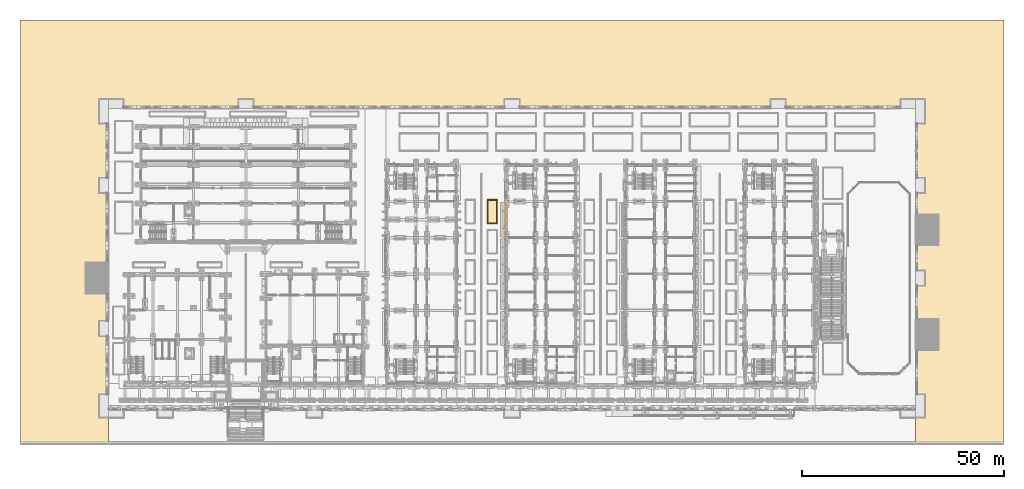
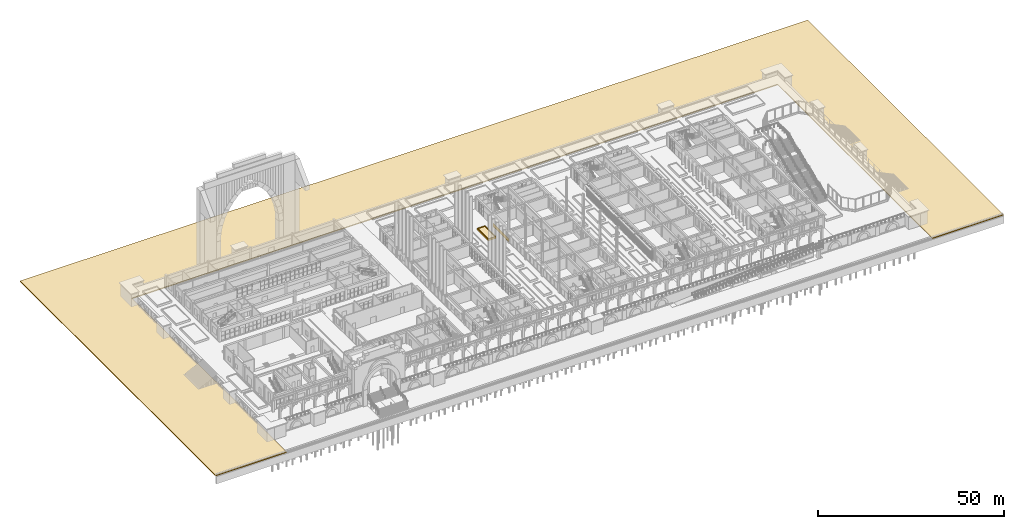
# One storey, part 108 of 161: 4 coverings.
"""IFC4 building model written with IfcOpenShell, lengths in metres."""

from ifc_helpers import new_model, si_unit, direction, frame, origin, origin_2d, place, context, subcontext, project, spatial, polyline, rectangle, outline, extrude, material, layer, layer_set, type_object, element, save


model = new_model("IFC4")

# Units and contexts
model_context = context("Model", 3, precision=1e-05, world=origin(), true_north=direction((0.0, 1.0)))
body_context = subcontext(model_context, "Body", "Model", "MODEL_VIEW")
ifc_project = project(units=[si_unit("LENGTHUNIT", "METRE"), si_unit("AREAUNIT", "SQUARE_METRE"), si_unit("VOLUMEUNIT", "CUBIC_METRE"), si_unit("PLANEANGLEUNIT", "RADIAN"), si_unit("MASSUNIT", "GRAM", prefix="KILO")], contexts=[model_context])

# Site, building, storey
site_placement = place(None, origin())
site = spatial("IfcSite", under=ifc_project, at=site_placement, CompositionType="ELEMENT")
building_placement = place(site_placement, origin())
building = spatial("IfcBuilding", under=site, at=building_placement, Name="Elbe Cascade School", CompositionType="ELEMENT")
storey_placement = place(building_placement, origin())
storey = spatial("IfcBuildingStorey", under=building, at=storey_placement, Name="L00", CompositionType="ELEMENT", Elevation=0.0)

# Coverings
ifc_material_1 = material(Name="Sandstone - red", Category="masonry")
ifc_layer_1 = layer(ifc_material_1, 0.0400390625)
ifc_layer_set_1 = layer_set([ifc_layer_1], Name="Sandstone - red")
covering_type_1 = type_object("IfcCoveringType", Name="Bars envelope Sandstone cladding, red, 40 mm", PredefinedType="CLADDING", material=ifc_layer_set_1)
covering_1_placement = place(storey_placement, frame((98.39990234375, 46.5, 0.0), z_axis=(0.0, 0.0, 1.0), x_axis=(0.0, 1.0, 0.0)))
element("IfcCovering", 1, at=covering_1_placement, inside=storey, type_object=covering_type_1, Name="Sandstone cladding CV48 B.L00.w.5.1", PredefinedType="CLADDING", context=body_context, shape_type="SweptSolid", body=[
    extrude(rectangle(XDim=8.5, YDim=0.0400390625, at=origin_2d()), origin(), (0.0, 0.0, 1.0), 1.199951171875),
])
ifc_material_2 = material(Name="Granite setts", Category="masonry")
ifc_layer_2 = layer(ifc_material_2, 0.300048828125)
ifc_layer_set_2 = layer_set([ifc_layer_2], Name="Granite setts")
covering_type_2 = type_object("IfcCoveringType", Name="Ground apron paving, granite setts 300", PredefinedType="FLOORING", material=ifc_layer_set_2)
covering_2_placement = place(storey_placement, frame((0.0, 0.0, -3.39990234375)))
element("IfcCovering", 2, at=covering_2_placement, inside=storey, type_object=covering_type_2, Name="Ground apron", PredefinedType="FLOORING", context=body_context, shape_type="SweptSolid", body=[
    extrude(outline(polyline([(-22.0, -9.0), (0.0, -9.0), (0.0, 74.0), (200.0, 74.0), (200.0, -9.0), (222.0, -9.0), (222.0, 96.0), (-22.0, 96.0), (-22.0, -9.0)])), origin(), (0.0, 0.0, 1.0), 0.2998046875),
])
ifc_material_3 = material(Name="Planting - soil and shrubs", Category="soil")
ifc_layer_3 = layer(ifc_material_3, 0.39990234375)
ifc_layer_set_3 = layer_set([ifc_layer_3], Name="Planting - soil and shrubs")
covering_type_3 = type_object("IfcCoveringType", Name="Site planting bed 400", PredefinedType="USERDEFINED", material=ifc_layer_set_3)
covering_3_placement = place(storey_placement, origin())
element("IfcCovering", 3, at=covering_3_placement, inside=storey, type_object=covering_type_3, Name="Court A-B planting bed east 6", ObjectType="PLANTING BED", PredefinedType="USERDEFINED", context=body_context, shape_type="SweptSolid", body=[
    extrude(outline(polyline([(94.0, 45.64990234375), (96.199951171875, 45.64990234375), (96.199951171875, 51.35009765625), (94.0, 51.35009765625), (94.0, 45.64990234375)])), origin(), (0.0, 0.0, 1.0), 0.39990234375),
])
ifc_material_4 = material(Name="Concrete C30/37 precast kerb", Category="concrete")
ifc_layer_4 = layer(ifc_material_4, 0.14990234375)
ifc_layer_set_4 = layer_set([ifc_layer_4], Name="Concrete C30/37 precast kerb")
covering_type_4 = type_object("IfcCoveringType", Name="Site planting bed kerb 150x600", PredefinedType="CLADDING", material=ifc_layer_set_4)
covering_4_placement = place(storey_placement, origin())
element("IfcCovering", 4, at=covering_4_placement, inside=storey, type_object=covering_type_4, Name="Court A-B planting bed kerb east 6", PredefinedType="CLADDING", context=body_context, shape_type="SweptSolid", body=[
    extrude(outline(polyline([(93.85009765625, 45.5), (96.35009765625, 45.5), (96.35009765625, 51.5), (93.85009765625, 51.5), (93.85009765625, 45.5)]), holes=[polyline([(94.0, 45.64990234375), (96.199951171875, 45.64990234375), (96.199951171875, 51.35009765625), (94.0, 51.35009765625), (94.0, 45.64990234375)])]), origin(), (0.0, 0.0, 1.0), 0.60009765625),
])

save(model, "model.ifc")
